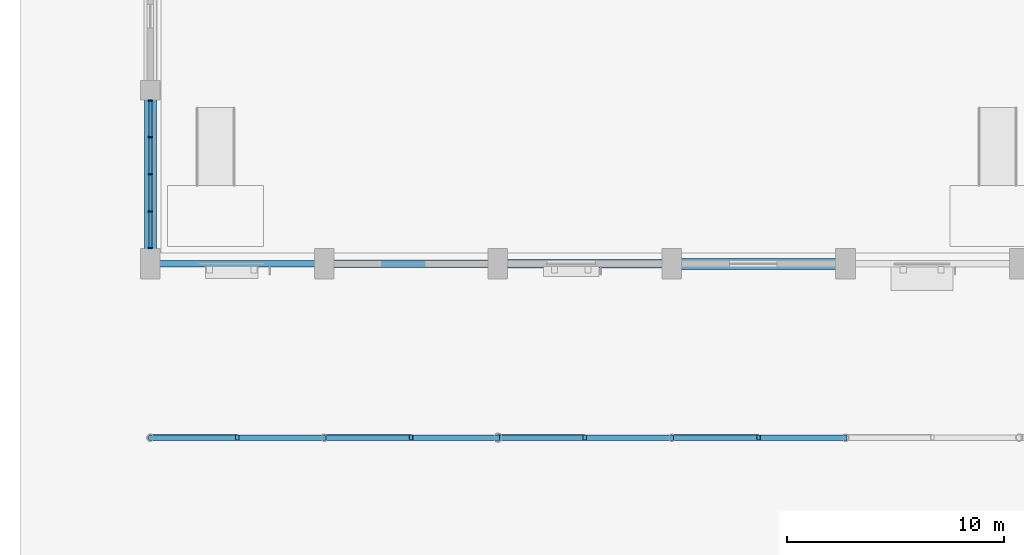
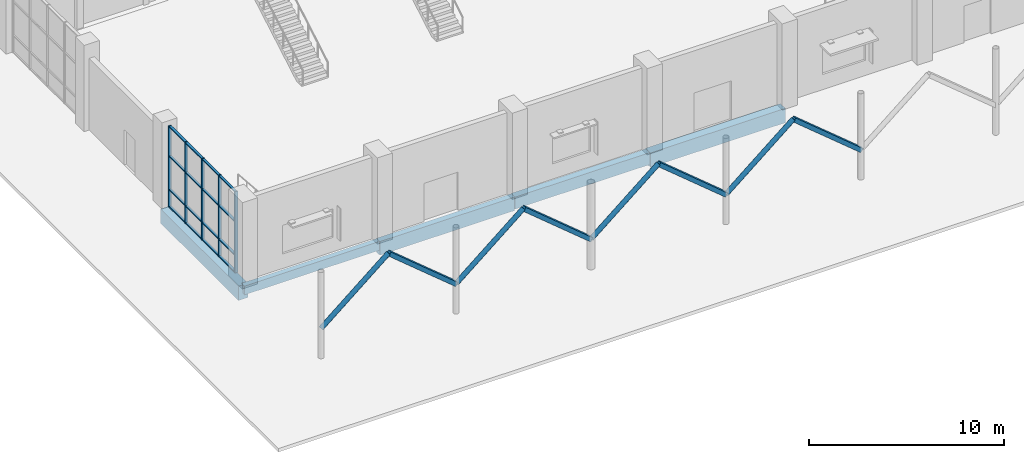
# One storey, part 20 of 123: 29 members, 5 beams, 1 element without a shape of its own.
"""IFC4 building model written with IfcOpenShell, lengths in metres."""

from ifc_helpers import new_model, si_unit, direction, frame, origin, origin_2d, place, context, subcontext, project, spatial, rectangle, hollow_rectangle, hollow_circle, extrude, material, material_profile, profile_set, type_object, element, aggregate, save


model = new_model("IFC4")

# Units and contexts
model_context = context("Model", 3, precision=1e-05, world=origin(), true_north=direction((0.0, 1.0)))
body_context = subcontext(model_context, "Body", "Model", "MODEL_VIEW")
ifc_project = project(units=[si_unit("LENGTHUNIT", "METRE"), si_unit("AREAUNIT", "SQUARE_METRE"), si_unit("VOLUMEUNIT", "CUBIC_METRE"), si_unit("PLANEANGLEUNIT", "RADIAN"), si_unit("MASSUNIT", "GRAM", prefix="KILO")], contexts=[model_context])

# Site, building, storey
site_placement = place(None, origin())
site = spatial("IfcSite", under=ifc_project, at=site_placement, CompositionType="ELEMENT")
building_placement = place(site_placement, origin())
building = spatial("IfcBuilding", under=site, at=building_placement, Name="Tenunan Teduh Sports Hall", CompositionType="ELEMENT")
storey_placement = place(building_placement, origin())
storey = spatial("IfcBuildingStorey", under=building, at=storey_placement, Name="L00", CompositionType="ELEMENT", Elevation=0.0)

# Beams
ifc_material_1 = material(Name="Concrete C40/50", Category="concrete")
ifc_material_profile_1 = material_profile(ifc_material_1, rectangle(XDim=0.300048828125, YDim=0.550048828125, at=origin_2d()), Name="RCB 300x550")
ifc_profile_set_1 = profile_set([ifc_material_profile_1], Name="Concrete C40/50")
beam_type_1 = type_object("IfcBeamType", Name="BM-RC-300x550", PredefinedType="BEAM", material=ifc_profile_set_1)
beam_1_placement = place(storey_placement, frame((6.0, 14.0, -0.594970703125), z_axis=(1.0, 0.0, 0.0), x_axis=(0.0, 1.0, 0.0)))
element("IfcBeam", 1, at=beam_1_placement, inside=storey, type_object=beam_type_1, Name="BM-B-02-L00-0625", PredefinedType="BEAM", context=body_context, shape_type="SweptSolid", body=[
    extrude(rectangle(XDim=0.300048828125, YDim=0.550048828125, at=origin_2d()), origin(), (0.0, 0.0, 1.0), 8.0),
])
ifc_material_2 = material(Name="Concrete C40/50", Category="concrete")
ifc_material_profile_2 = material_profile(ifc_material_2, rectangle(XDim=0.39990234375, YDim=0.75, at=origin_2d()), Name="RCB 400x750")
ifc_profile_set_2 = profile_set([ifc_material_profile_2], Name="Concrete C40/50")
beam_type_2 = type_object("IfcBeamType", Name="BM-RC-400x750", PredefinedType="BEAM", material=ifc_profile_set_2)
beam_2_placement = place(storey_placement, frame((22.0, 14.0, -0.695068359375), z_axis=(1.0, 0.0, 0.0), x_axis=(0.0, 1.0, 0.0)))
element("IfcBeam", 2, at=beam_2_placement, inside=storey, type_object=beam_type_2, Name="BM-B-09-L00-0627", PredefinedType="BEAM", context=body_context, shape_type="SweptSolid", body=[
    extrude(rectangle(XDim=0.39990234375, YDim=0.75, at=origin_2d()), origin(), (0.0, 0.0, 1.0), 8.0),
])
ifc_material_3 = material(Name="Concrete C40/50", Category="concrete")
ifc_material_profile_3 = material_profile(ifc_material_3, rectangle(XDim=0.5, YDim=0.89990234375, at=origin_2d()), Name="RCB 500x900")
ifc_profile_set_3 = profile_set([ifc_material_profile_3], Name="Concrete C40/50")
beam_type_3 = type_object("IfcBeamType", Name="BM-RC-500x900", PredefinedType="BEAM", material=ifc_profile_set_3)
beam_3_placement = place(storey_placement, frame((30.0, 14.0, -0.77001953125), z_axis=(1.0, 0.0, 0.0), x_axis=(0.0, 1.0, 0.0)))
element("IfcBeam", 3, at=beam_3_placement, inside=storey, type_object=beam_type_3, Name="BM-B-15-L00-0628", PredefinedType="BEAM", context=body_context, shape_type="SweptSolid", body=[
    extrude(rectangle(XDim=0.5, YDim=0.89990234375, at=origin_2d()), origin(), (0.0, 0.0, 1.0), 8.0),
])
ifc_material_4 = material(Name="Concrete C40/50", Category="concrete")
ifc_material_profile_4 = material_profile(ifc_material_4, rectangle(XDim=0.550048828125, YDim=0.89990234375, at=origin_2d()), Name="RCB 550x900")
ifc_profile_set_4 = profile_set([ifc_material_profile_4], Name="Concrete C40/50")
beam_type_4 = type_object("IfcBeamType", Name="BM-RC-550x900", PredefinedType="BEAM", material=ifc_profile_set_4)
beam_4_placement = place(storey_placement, frame((6.0, 14.0, -0.77001953125), z_axis=(0.0, 1.0, 0.0), x_axis=(-1.0, 0.0, 0.0)))
element("IfcBeam", 4, at=beam_4_placement, inside=storey, type_object=beam_type_4, Name="BM-B-16-L00-0763", PredefinedType="BEAM", context=body_context, shape_type="SweptSolid", body=[
    extrude(rectangle(XDim=0.550048828125, YDim=0.89990234375, at=origin_2d()), origin(), (0.0, 0.0, 1.0), 8.0),
])
ifc_material_5 = material(Name="Concrete C40/50", Category="concrete")
ifc_material_profile_5 = material_profile(ifc_material_5, rectangle(XDim=0.35009765625, YDim=0.85009765625, at=origin_2d()), Name="SPB 350x850")
ifc_profile_set_5 = profile_set([ifc_material_profile_5], Name="Concrete C40/50")
beam_type_5 = type_object("IfcBeamType", Name="BM-SP-350x850", PredefinedType="SPANDREL", material=ifc_profile_set_5)
beam_5_placement = place(storey_placement, frame((14.0, 14.0, -0.7451171875), z_axis=(1.0, 0.0, 0.0), x_axis=(0.0, 1.0, 0.0)))
element("IfcBeam", 5, at=beam_5_placement, inside=storey, type_object=beam_type_5, Name="BM-SP-02-L00-0626", PredefinedType="SPANDREL", context=body_context, shape_type="SweptSolid", body=[
    extrude(rectangle(XDim=0.35009765625, YDim=0.85009765625, at=origin_2d()), origin(), (0.0, 0.0, 1.0), 8.0),
])

# Curtain wall, members
ifc_material_6 = material(Name="Anodised aluminium", Category="aluminium")
curtain_wall_type = type_object("IfcCurtainWallType", Name="CW-UNIT-2", PredefinedType="NOTDEFINED", material=ifc_material_6)
curtain_wall_placement = place(storey_placement, origin())
curtain_wall = element("IfcCurtainWall", 6, at=curtain_wall_placement, inside=storey, type_object=curtain_wall_type, Name="CW-CWM-175-L00-034", PredefinedType="NOTDEFINED")
ifc_material_7 = material(Name="Anodised aluminium", Category="aluminium")
ifc_material_profile_6 = material_profile(ifc_material_7, rectangle(XDim=0.06494140625, YDim=0.175048828125, at=origin_2d()), Name="CWM 65x175")
ifc_profile_set_6 = profile_set([ifc_material_profile_6], Name="Anodised aluminium")
member_type_1 = type_object("IfcMemberType", Name="CWM-175", PredefinedType="MULLION", material=ifc_profile_set_6)
member_1_placement = place(storey_placement, frame((6.0, 14.732421875, 0.0), z_axis=(0.0, 0.0, 1.0), x_axis=(0.0, 1.0, 0.0)))
member_1 = element("IfcMember", 7, at=member_1_placement, type_object=member_type_1, Name="CW-02 mullion 1", PredefinedType="MULLION", context=body_context, shape_type="SweptSolid", body=[
    extrude(rectangle(XDim=0.06494140625, YDim=0.175048828125, at=origin_2d()), origin(), (0.0, 0.0, 1.0), 5.10009765625),
])
member_2_placement = place(storey_placement, frame((6.0, 16.41259765625, 0.0), z_axis=(0.0, 0.0, 1.0), x_axis=(0.0, 1.0, 0.0)))
member_2 = element("IfcMember", 8, at=member_2_placement, type_object=member_type_1, Name="CW-02 mullion 2", PredefinedType="MULLION", context=body_context, shape_type="SweptSolid", body=[
    extrude(rectangle(XDim=0.06494140625, YDim=0.175048828125, at=origin_2d()), origin(), (0.0, 0.0, 1.0), 5.10009765625),
])
member_3_placement = place(storey_placement, frame((6.0, 18.125, 0.0), z_axis=(0.0, 0.0, 1.0), x_axis=(0.0, 1.0, 0.0)))
member_3 = element("IfcMember", 9, at=member_3_placement, type_object=member_type_1, Name="CW-02 mullion 3", PredefinedType="MULLION", context=body_context, shape_type="SweptSolid", body=[
    extrude(rectangle(XDim=0.06494140625, YDim=0.175048828125, at=origin_2d()), origin(), (0.0, 0.0, 1.0), 5.10009765625),
])
member_4_placement = place(storey_placement, frame((6.0, 19.83740234375, 0.0), z_axis=(0.0, 0.0, 1.0), x_axis=(0.0, 1.0, 0.0)))
member_4 = element("IfcMember", 10, at=member_4_placement, type_object=member_type_1, Name="CW-02 mullion 4", PredefinedType="MULLION", context=body_context, shape_type="SweptSolid", body=[
    extrude(rectangle(XDim=0.06494140625, YDim=0.175048828125, at=origin_2d()), origin(), (0.0, 0.0, 1.0), 5.10009765625),
])
member_5_placement = place(storey_placement, frame((6.0, 21.517578125, 0.0), z_axis=(0.0, 0.0, 1.0), x_axis=(0.0, 1.0, 0.0)))
member_5 = element("IfcMember", 11, at=member_5_placement, type_object=member_type_1, Name="CW-02 mullion 5", PredefinedType="MULLION", context=body_context, shape_type="SweptSolid", body=[
    extrude(rectangle(XDim=0.06494140625, YDim=0.175048828125, at=origin_2d()), origin(), (0.0, 0.0, 1.0), 5.10009765625),
])
ifc_material_8 = material(Name="Anodised aluminium", Category="aluminium")
ifc_material_profile_7 = material_profile(ifc_material_8, rectangle(XDim=0.06494140625, YDim=0.139892578125, at=origin_2d()), Name="CWT 65x140")
ifc_profile_set_7 = profile_set([ifc_material_profile_7], Name="Anodised aluminium")
member_type_2 = type_object("IfcMemberType", Name="CWT-150", PredefinedType="USERDEFINED", material=ifc_profile_set_7)
member_6_placement = place(storey_placement, frame((6.0, 14.764892578125, 0.032470703125), z_axis=(0.0, 1.0, 0.0), x_axis=(0.0, 0.0, 1.0)))
member_6 = element("IfcMember", 12, at=member_6_placement, type_object=member_type_2, Name="CW-02 transom 1.1", ObjectType="TRANSOM", PredefinedType="USERDEFINED", context=body_context, shape_type="SweptSolid", body=[
    extrude(rectangle(XDim=0.06494140625, YDim=0.139892578125, at=origin_2d()), origin(), (0.0, 0.0, 1.0), 1.614990234375),
])
member_7_placement = place(storey_placement, frame((6.0, 14.764892578125, 1.10009765625), z_axis=(0.0, 1.0, 0.0), x_axis=(0.0, 0.0, 1.0)))
member_7 = element("IfcMember", 13, at=member_7_placement, type_object=member_type_2, Name="CW-02 transom 1.2", ObjectType="TRANSOM", PredefinedType="USERDEFINED", context=body_context, shape_type="SweptSolid", body=[
    extrude(rectangle(XDim=0.06494140625, YDim=0.139892578125, at=origin_2d()), origin(), (0.0, 0.0, 1.0), 1.614990234375),
])
member_8_placement = place(storey_placement, frame((6.0, 14.764892578125, 3.199951171875), z_axis=(0.0, 1.0, 0.0), x_axis=(0.0, 0.0, 1.0)))
member_8 = element("IfcMember", 14, at=member_8_placement, type_object=member_type_2, Name="CW-02 transom 1.3", ObjectType="TRANSOM", PredefinedType="USERDEFINED", context=body_context, shape_type="SweptSolid", body=[
    extrude(rectangle(XDim=0.06494140625, YDim=0.139892578125, at=origin_2d()), origin(), (0.0, 0.0, 1.0), 1.614990234375),
])
member_9_placement = place(storey_placement, frame((6.0, 14.764892578125, 5.0673828125), z_axis=(0.0, 1.0, 0.0), x_axis=(0.0, 0.0, 1.0)))
member_9 = element("IfcMember", 15, at=member_9_placement, type_object=member_type_2, Name="CW-02 transom 1.4", ObjectType="TRANSOM", PredefinedType="USERDEFINED", context=body_context, shape_type="SweptSolid", body=[
    extrude(rectangle(XDim=0.06494140625, YDim=0.139892578125, at=origin_2d()), origin(), (0.0, 0.0, 1.0), 1.614990234375),
])
member_10_placement = place(storey_placement, frame((6.0, 16.445068359375, 0.032470703125), z_axis=(0.0, 1.0, 0.0), x_axis=(0.0, 0.0, 1.0)))
member_10 = element("IfcMember", 16, at=member_10_placement, type_object=member_type_2, Name="CW-02 transom 2.1", ObjectType="TRANSOM", PredefinedType="USERDEFINED", context=body_context, shape_type="SweptSolid", body=[
    extrude(rectangle(XDim=0.06494140625, YDim=0.139892578125, at=origin_2d()), origin(), (0.0, 0.0, 1.0), 1.6474609375),
])
member_11_placement = place(storey_placement, frame((6.0, 16.445068359375, 1.10009765625), z_axis=(0.0, 1.0, 0.0), x_axis=(0.0, 0.0, 1.0)))
member_11 = element("IfcMember", 17, at=member_11_placement, type_object=member_type_2, Name="CW-02 transom 2.2", ObjectType="TRANSOM", PredefinedType="USERDEFINED", context=body_context, shape_type="SweptSolid", body=[
    extrude(rectangle(XDim=0.06494140625, YDim=0.139892578125, at=origin_2d()), origin(), (0.0, 0.0, 1.0), 1.6474609375),
])
member_12_placement = place(storey_placement, frame((6.0, 16.445068359375, 3.199951171875), z_axis=(0.0, 1.0, 0.0), x_axis=(0.0, 0.0, 1.0)))
member_12 = element("IfcMember", 18, at=member_12_placement, type_object=member_type_2, Name="CW-02 transom 2.3", ObjectType="TRANSOM", PredefinedType="USERDEFINED", context=body_context, shape_type="SweptSolid", body=[
    extrude(rectangle(XDim=0.06494140625, YDim=0.139892578125, at=origin_2d()), origin(), (0.0, 0.0, 1.0), 1.6474609375),
])
member_13_placement = place(storey_placement, frame((6.0, 16.445068359375, 5.0673828125), z_axis=(0.0, 1.0, 0.0), x_axis=(0.0, 0.0, 1.0)))
member_13 = element("IfcMember", 19, at=member_13_placement, type_object=member_type_2, Name="CW-02 transom 2.4", ObjectType="TRANSOM", PredefinedType="USERDEFINED", context=body_context, shape_type="SweptSolid", body=[
    extrude(rectangle(XDim=0.06494140625, YDim=0.139892578125, at=origin_2d()), origin(), (0.0, 0.0, 1.0), 1.6474609375),
])
member_14_placement = place(storey_placement, frame((6.0, 18.157470703125, 0.032470703125), z_axis=(0.0, 1.0, 0.0), x_axis=(0.0, 0.0, 1.0)))
member_14 = element("IfcMember", 20, at=member_14_placement, type_object=member_type_2, Name="CW-02 transom 3.1", ObjectType="TRANSOM", PredefinedType="USERDEFINED", context=body_context, shape_type="SweptSolid", body=[
    extrude(rectangle(XDim=0.06494140625, YDim=0.139892578125, at=origin_2d()), origin(), (0.0, 0.0, 1.0), 1.6474609375),
])
member_15_placement = place(storey_placement, frame((6.0, 18.157470703125, 1.10009765625), z_axis=(0.0, 1.0, 0.0), x_axis=(0.0, 0.0, 1.0)))
member_15 = element("IfcMember", 21, at=member_15_placement, type_object=member_type_2, Name="CW-02 transom 3.2", ObjectType="TRANSOM", PredefinedType="USERDEFINED", context=body_context, shape_type="SweptSolid", body=[
    extrude(rectangle(XDim=0.06494140625, YDim=0.139892578125, at=origin_2d()), origin(), (0.0, 0.0, 1.0), 1.6474609375),
])
member_16_placement = place(storey_placement, frame((6.0, 18.157470703125, 3.199951171875), z_axis=(0.0, 1.0, 0.0), x_axis=(0.0, 0.0, 1.0)))
member_16 = element("IfcMember", 22, at=member_16_placement, type_object=member_type_2, Name="CW-02 transom 3.3", ObjectType="TRANSOM", PredefinedType="USERDEFINED", context=body_context, shape_type="SweptSolid", body=[
    extrude(rectangle(XDim=0.06494140625, YDim=0.139892578125, at=origin_2d()), origin(), (0.0, 0.0, 1.0), 1.6474609375),
])
member_17_placement = place(storey_placement, frame((6.0, 18.157470703125, 5.0673828125), z_axis=(0.0, 1.0, 0.0), x_axis=(0.0, 0.0, 1.0)))
member_17 = element("IfcMember", 23, at=member_17_placement, type_object=member_type_2, Name="CW-02 transom 3.4", ObjectType="TRANSOM", PredefinedType="USERDEFINED", context=body_context, shape_type="SweptSolid", body=[
    extrude(rectangle(XDim=0.06494140625, YDim=0.139892578125, at=origin_2d()), origin(), (0.0, 0.0, 1.0), 1.6474609375),
])
member_18_placement = place(storey_placement, frame((6.0, 19.8701171875, 0.032470703125), z_axis=(0.0, 1.0, 0.0), x_axis=(0.0, 0.0, 1.0)))
member_18 = element("IfcMember", 24, at=member_18_placement, type_object=member_type_2, Name="CW-02 transom 4.1", ObjectType="TRANSOM", PredefinedType="USERDEFINED", context=body_context, shape_type="SweptSolid", body=[
    extrude(rectangle(XDim=0.06494140625, YDim=0.139892578125, at=origin_2d()), origin(), (0.0, 0.0, 1.0), 1.614990234375),
])
member_19_placement = place(storey_placement, frame((6.0, 19.8701171875, 1.10009765625), z_axis=(0.0, 1.0, 0.0), x_axis=(0.0, 0.0, 1.0)))
member_19 = element("IfcMember", 25, at=member_19_placement, type_object=member_type_2, Name="CW-02 transom 4.2", ObjectType="TRANSOM", PredefinedType="USERDEFINED", context=body_context, shape_type="SweptSolid", body=[
    extrude(rectangle(XDim=0.06494140625, YDim=0.139892578125, at=origin_2d()), origin(), (0.0, 0.0, 1.0), 1.614990234375),
])
member_20_placement = place(storey_placement, frame((6.0, 19.8701171875, 3.199951171875), z_axis=(0.0, 1.0, 0.0), x_axis=(0.0, 0.0, 1.0)))
member_20 = element("IfcMember", 26, at=member_20_placement, type_object=member_type_2, Name="CW-02 transom 4.3", ObjectType="TRANSOM", PredefinedType="USERDEFINED", context=body_context, shape_type="SweptSolid", body=[
    extrude(rectangle(XDim=0.06494140625, YDim=0.139892578125, at=origin_2d()), origin(), (0.0, 0.0, 1.0), 1.614990234375),
])
member_21_placement = place(storey_placement, frame((6.0, 19.8701171875, 5.0673828125), z_axis=(0.0, 1.0, 0.0), x_axis=(0.0, 0.0, 1.0)))
member_21 = element("IfcMember", 27, at=member_21_placement, type_object=member_type_2, Name="CW-02 transom 4.4", ObjectType="TRANSOM", PredefinedType="USERDEFINED", context=body_context, shape_type="SweptSolid", body=[
    extrude(rectangle(XDim=0.06494140625, YDim=0.139892578125, at=origin_2d()), origin(), (0.0, 0.0, 1.0), 1.614990234375),
])
aggregate(curtain_wall, [member_1, member_2, member_3, member_4, member_5, member_6, member_7, member_8, member_9, member_10, member_11, member_12, member_13, member_14, member_15, member_16, member_17, member_18, member_19, member_20, member_21])

# Members
ifc_material_9 = material(Name="Steel S355", Category="steel")
ifc_material_profile_8 = material_profile(ifc_material_9, hollow_circle(Radius=0.136474609375, WallThickness=0.010009765625, at=origin_2d()), Name="CHS 273.0x10.0")
ifc_profile_set_8 = profile_set([ifc_material_profile_8], Name="Steel S355")
member_type_3 = type_object("IfcMemberType", Name="MEM-ST-CHS273", PredefinedType="STRUT", material=ifc_profile_set_8)
for number, where, z_axis, x_axis, name in (
    (28, (6.0, 6.0, 1.800048828125), (0.76947477025, 0.0, 0.638677209511), (0.0, 1.0, 0.0), "MEM-VS-04-L00-0930"),
    (29, (14.0, 6.0, 1.800048828125), (0.76947477025, 0.0, 0.638677209511), (0.0, 1.0, 0.0), "MEM-VS-04-L00-0935"),
    (30, (22.0, 6.0, 1.800048828125), (0.76947477025, 0.0, 0.638677209511), (0.0, 1.0, 0.0), "MEM-VS-04-L00-0940"),
    (31, (30.0, 6.0, 1.800048828125), (0.76947477025, 0.0, 0.638677209511), (0.0, 1.0, 0.0), "MEM-VS-04-L00-0945"),
):
    element("IfcMember", number, at=place(storey_placement, frame(where, z_axis=z_axis, x_axis=x_axis)), inside=storey, type_object=member_type_3, Name=name, PredefinedType="STRUT", context=body_context, shape_type="SweptSolid", body=[
        extrude(hollow_circle(Radius=0.136474609375, WallThickness=0.010009765625, at=origin_2d()), origin(), (0.0, 0.0, 1.0), 5.1982421875),
    ])
ifc_material_10 = material(Name="Steel S355", Category="steel")
ifc_material_profile_9 = material_profile(ifc_material_10, hollow_rectangle(XDim=0.25, YDim=0.25, WallThickness=0.012451171875, at=origin_2d()), Name="SHS 250x250x12.5")
ifc_profile_set_9 = profile_set([ifc_material_profile_9], Name="Steel S355")
member_type_4 = type_object("IfcMemberType", Name="MEM-ST-SHS250", PredefinedType="STRUT", material=ifc_profile_set_9)
for number, where, z_axis, x_axis, name in (
    (32, (14.0, 6.0, 1.800048828125), (-0.76947477025, 0.0, 0.638677209511), (0.0, -1.0, 0.0), "MEM-VS-01-L00-0931"),
    (33, (22.0, 6.0, 1.800048828125), (-0.76947477025, 0.0, 0.638677209511), (0.0, -1.0, 0.0), "MEM-VS-01-L00-0936"),
    (34, (30.0, 6.0, 1.800048828125), (-0.76947477025, 0.0, 0.638677209511), (0.0, -1.0, 0.0), "MEM-VS-01-L00-0941"),
    (35, (38.0, 6.0, 1.800048828125), (-0.76947477025, 0.0, 0.638677209511), (0.0, -1.0, 0.0), "MEM-VS-01-L00-0946"),
):
    element("IfcMember", number, at=place(storey_placement, frame(where, z_axis=z_axis, x_axis=x_axis)), inside=storey, type_object=member_type_4, Name=name, PredefinedType="STRUT", context=body_context, shape_type="SweptSolid", body=[
        extrude(hollow_rectangle(XDim=0.25, YDim=0.25, WallThickness=0.012451171875, at=origin_2d()), origin(), (0.0, 0.0, 1.0), 5.1982421875),
    ])

save(model, "model.ifc")
